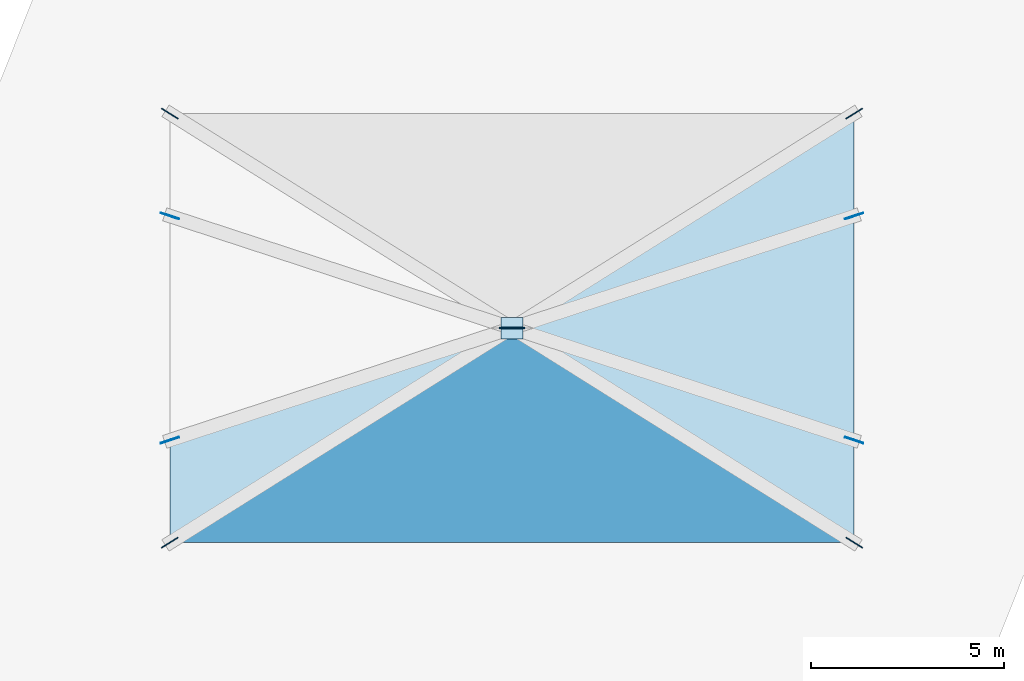
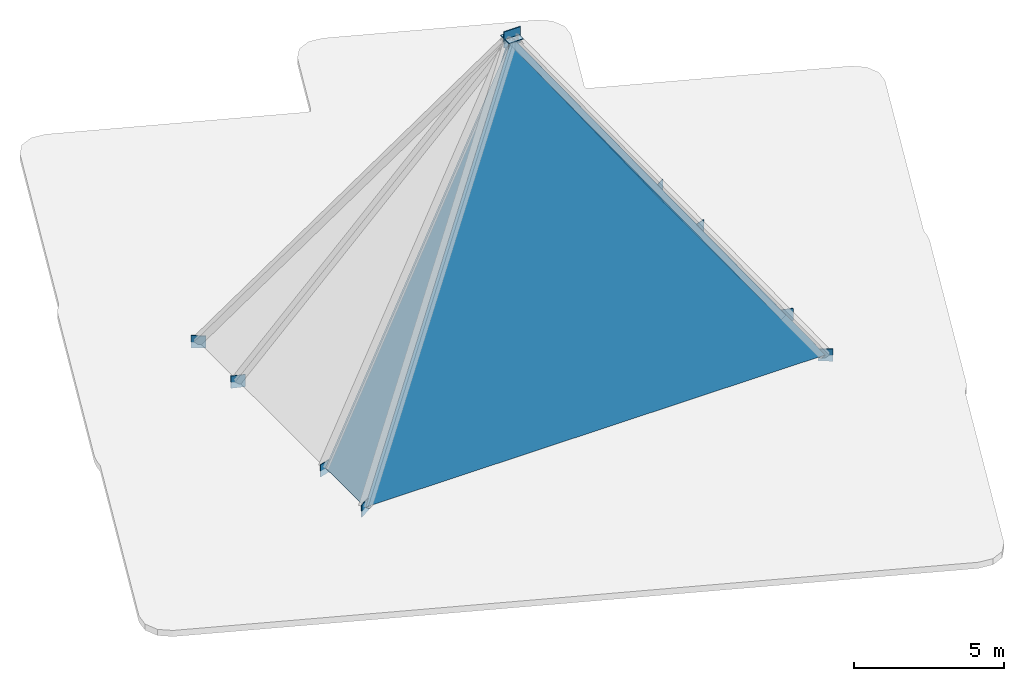
# One storey, part 2 of 2: 10 plates, 5 roofs.
"""IFC4 building model written with IfcOpenShell, lengths in metres."""

from ifc_helpers import new_model, si_unit, direction, frame, origin, origin_2d, place, context, subcontext, project, spatial, polyline, rectangle, outline, extrude, material, layer, layer_set, type_object, element, save


model = new_model("IFC4")

# Units and contexts
model_context = context("Model", 3, precision=1e-05, world=origin(), true_north=direction((0.0, 1.0)))
body_context = subcontext(model_context, "Body", "Model", "MODEL_VIEW")
ifc_project = project(units=[si_unit("LENGTHUNIT", "METRE"), si_unit("AREAUNIT", "SQUARE_METRE"), si_unit("VOLUMEUNIT", "CUBIC_METRE"), si_unit("PLANEANGLEUNIT", "RADIAN"), si_unit("MASSUNIT", "GRAM", prefix="KILO")], contexts=[model_context])

# Site, building, storey
site_placement = place(None, origin())
site = spatial("IfcSite", under=ifc_project, at=site_placement, CompositionType="ELEMENT")
building_placement = place(site_placement, origin())
building = spatial("IfcBuilding", under=site, at=building_placement, Name="Solmarez Civic Tower", CompositionType="ELEMENT")
storey_placement = place(building_placement, frame((0.0, 0.0, 305.820068359375)))
storey = spatial("IfcBuildingStorey", under=building, at=storey_placement, Name="RF82", CompositionType="ELEMENT", Elevation=305.820068359375)

# Plates
ifc_material_1 = material(Name="Steel S355", Category="steel")
ifc_layer_1 = layer(ifc_material_1, 0.028076171875)
ifc_layer_set_1 = layer_set([ifc_layer_1], Name="Steel S355")
plate_type_1 = type_object("IfcPlateType", Name="PLT-CAP-540", PredefinedType="USERDEFINED", material=ifc_layer_set_1)
plate_1_placement = place(storey_placement, frame((0.0, 0.0, 12.6259765625), z_axis=(0.0, 0.0, 1.0), x_axis=(1.0, 0.0, 0.0)))
element("IfcPlate", 1, at=plate_1_placement, inside=storey, type_object=plate_type_1, Name="Steel Member End Cap Plate CAP-RF82-APEX", ObjectType="CAP_PLATE", PredefinedType="USERDEFINED", context=body_context, shape_type="SweptSolid", body=[
    extrude(rectangle(XDim=0.56005859375, YDim=0.56005859375, at=origin_2d()), origin(), (0.0, 0.0, 1.0), 0.028076171875),
])
ifc_layer_2 = layer(ifc_material_1, 0.02490234375)
ifc_layer_set_2 = layer_set([ifc_layer_2], Name="Steel S355")
plate_type_2 = type_object("IfcPlateType", Name="PLT-GUSSET-25", PredefinedType="USERDEFINED", material=ifc_layer_set_2)
for number, where, z_axis, x_axis, name in (
    (2, (-8.85009765625, -2.89990234375, -0.25), (0.0, 0.0, 1.0), (0.950281639525, 0.31139172369, 0.0), "RF82 Structural Gusset Plate GUS-MEM-RF82-RIB-1-BASE"),
    (3, (-8.85009765625, -5.550048828125, -0.25), (0.0, 0.0, 1.0), (0.847190627166, 0.531289037381, 0.0), "RF82 Structural Gusset Plate GUS-MEM-RF82-RIB-2-BASE"),
    (4, (8.85009765625, -5.550048828125, -0.25), (0.0, 0.0, 1.0), (-0.847190627166, 0.531289037381, 0.0), "RF82 Structural Gusset Plate GUS-MEM-RF82-RIB-3-BASE"),
    (5, (8.85009765625, -2.89990234375, -0.25), (0.0, 0.0, 1.0), (-0.950281639525, 0.31139172369, 0.0), "RF82 Structural Gusset Plate GUS-MEM-RF82-RIB-4-BASE"),
    (6, (8.85009765625, 2.89990234375, -0.25), (0.0, 0.0, 1.0), (-0.950281639525, -0.31139172369, 0.0), "RF82 Structural Gusset Plate GUS-MEM-RF82-RIB-5-BASE"),
    (7, (8.85009765625, 5.550048828125, -0.25), (0.0, 0.0, 1.0), (-0.847190627166, -0.531289037381, 0.0), "RF82 Structural Gusset Plate GUS-MEM-RF82-RIB-6-BASE"),
    (8, (-8.85009765625, 5.550048828125, -0.25), (0.0, 0.0, 1.0), (0.847190627166, -0.531289037381, 0.0), "RF82 Structural Gusset Plate GUS-MEM-RF82-RIB-7-BASE"),
    (9, (-8.85009765625, 2.89990234375, -0.25), (0.0, 0.0, 1.0), (0.950281639525, -0.31139172369, 0.0), "RF82 Structural Gusset Plate GUS-MEM-RF82-RIB-8-BASE"),
):
    element("IfcPlate", number, at=place(storey_placement, frame(where, z_axis=z_axis, x_axis=x_axis)), inside=storey, type_object=plate_type_2, Name=name, ObjectType="GUSSET_PLATE", PredefinedType="USERDEFINED", context=body_context, shape_type="SweptSolid", body=[
        extrude(rectangle(XDim=0.5, YDim=0.02490234375, at=origin_2d()), origin(), (0.0, 0.0, 1.0), 0.5),
    ])
ifc_layer_3 = layer(ifc_material_1, 0.031982421875)
ifc_layer_set_3 = layer_set([ifc_layer_3], Name="Steel S355")
plate_type_3 = type_object("IfcPlateType", Name="PLT-GUSSET-32", PredefinedType="USERDEFINED", material=ifc_layer_set_3)
plate_2_placement = place(storey_placement, frame((0.0, 0.0, 12.31494140625), z_axis=(0.0, 0.0, 1.0), x_axis=(1.0, 0.0, 0.0)))
element("IfcPlate", 10, at=plate_2_placement, inside=storey, type_object=plate_type_3, Name="RF82 Structural Gusset Plate GUS-RF82-APEX", ObjectType="GUSSET_PLATE", PredefinedType="USERDEFINED", context=body_context, shape_type="SweptSolid", body=[
    extrude(rectangle(XDim=0.64990234375, YDim=0.031982421875, at=origin_2d()), origin(), (0.0, 0.0, 1.0), 0.64990234375),
])

# Roofs
ifc_material_2 = material(Name="Precast concrete C40/50", Category="concrete")
ifc_layer_4 = layer(ifc_material_2, 0.219970703125)
ifc_layer_set_4 = layer_set([ifc_layer_4], Name="Precast concrete C40/50")
roof_type = type_object("IfcRoofType", Name="ROOF-CROWN-FACET", PredefinedType="PAVILION_ROOF", material=ifc_layer_set_4)
roof_1_placement = place(storey_placement, frame((-8.85009765625, -2.89990234375, 0.0), z_axis=(-0.819165758915, 0.0, 0.573556849336), x_axis=(0.0, -1.0, 0.0)))
element("IfcRoof", 11, at=roof_1_placement, inside=storey, type_object=roof_type, Name="RF82 Glass-Point Faceted Crown Roof 1", PredefinedType="PAVILION_ROOF", context=body_context, shape_type="SweptSolid", body=[
    extrude(outline(polyline([(0.0, 0.0), (2.650146484375, 0.0), (-2.89990234375, 15.430201324406013), (0.0, 0.0)])), origin(), (0.0, 0.0, -1.0), 0.219970703125),
])
roof_2_placement = place(storey_placement, frame((-8.85009765625, -5.550048828125, 0.0), z_axis=(0.0, -0.915621959652, 0.402040330071), x_axis=(1.0, 0.0, 0.0)))
element("IfcRoof", 12, at=roof_2_placement, inside=storey, type_object=roof_type, Name="RF82 Glass-Point Faceted Crown Roof 2", PredefinedType="PAVILION_ROOF", context=body_context, shape_type="SweptSolid", body=[
    extrude(outline(polyline([(0.0, 0.0), (17.7001953125, 0.0), (8.85009765625, 13.804706674939208), (0.0, 0.0)])), origin(), (0.0, 0.0, -1.0), 0.219970703125),
])
roof_3_placement = place(storey_placement, frame((8.85009765625, -5.550048828125, 0.0), z_axis=(0.819165758915, 0.0, 0.573556849336), x_axis=(0.0, 1.0, 0.0)))
element("IfcRoof", 13, at=roof_3_placement, inside=storey, type_object=roof_type, Name="RF82 Glass-Point Faceted Crown Roof 3", PredefinedType="PAVILION_ROOF", context=body_context, shape_type="SweptSolid", body=[
    extrude(outline(polyline([(0.0, 0.0), (2.650146484375, 0.0), (5.550048828125, 15.430201324406013), (0.0, 0.0)])), origin(), (0.0, 0.0, -1.0), 0.219970703125),
])
roof_4_placement = place(storey_placement, frame((8.85009765625, -2.89990234375, 0.0), z_axis=(0.819165758915, 0.0, 0.573556849336), x_axis=(0.0, 1.0, 0.0)))
element("IfcRoof", 14, at=roof_4_placement, inside=storey, type_object=roof_type, Name="RF82 Glass-Point Faceted Crown Roof 4", PredefinedType="PAVILION_ROOF", context=body_context, shape_type="SweptSolid", body=[
    extrude(outline(polyline([(0.0, 0.0), (5.7998046875, 0.0), (2.89990234375, 15.430201324406017), (0.0, 0.0)])), origin(), (0.0, 0.0, -1.0), 0.219970703125),
])
roof_5_placement = place(storey_placement, frame((8.85009765625, 2.89990234375, 0.0), z_axis=(0.819165758915, 0.0, 0.573556849336), x_axis=(0.0, 1.0, 0.0)))
element("IfcRoof", 15, at=roof_5_placement, inside=storey, type_object=roof_type, Name="RF82 Glass-Point Faceted Crown Roof 5", PredefinedType="PAVILION_ROOF", context=body_context, shape_type="SweptSolid", body=[
    extrude(outline(polyline([(0.0, 0.0), (2.650146484375, 0.0), (-2.89990234375, 15.430201324406013), (0.0, 0.0)])), origin(), (0.0, 0.0, -1.0), 0.219970703125),
])

save(model, "model.ifc")
